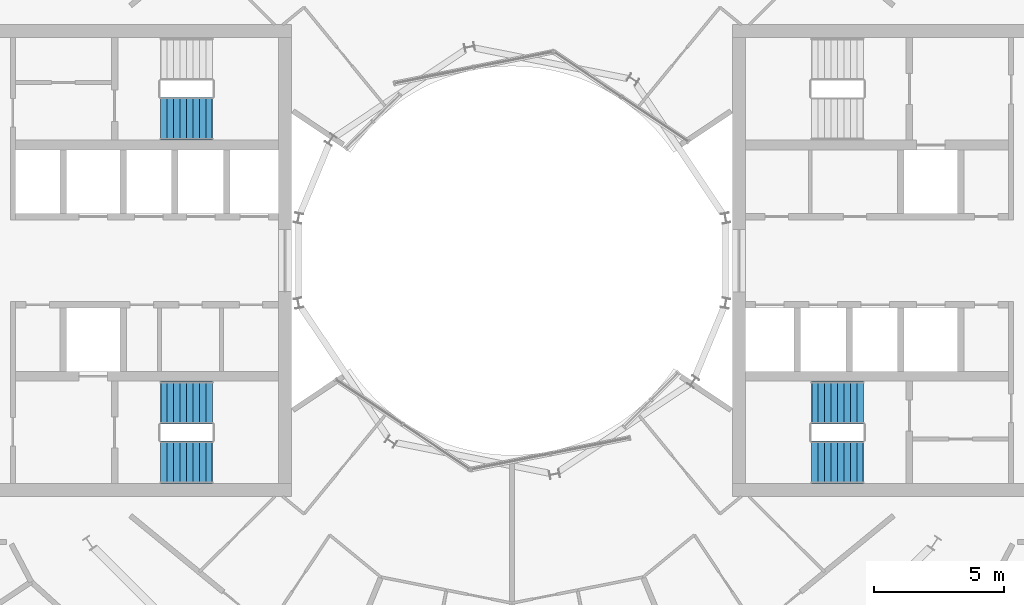
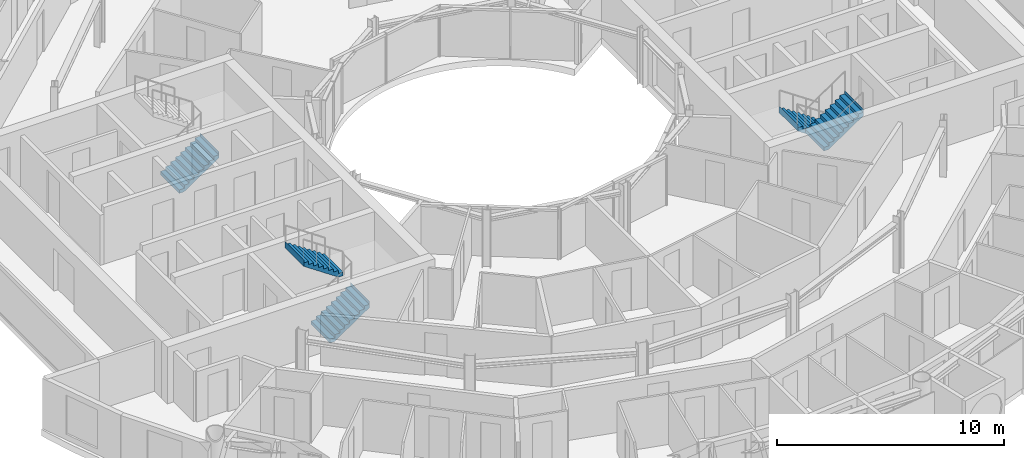
# One storey, part 24 of 26: 5 stair flights, 3 elements without a shape of their own.
"""IFC4 building model written with IfcOpenShell, lengths in metres."""

from ifc_helpers import new_model, si_unit, direction, frame, origin, place, context, subcontext, project, spatial, triangles, material, type_object, element, aggregate, save


model = new_model("IFC4")

# Units and contexts
model_context = context("Model", 3, precision=1e-05, world=origin(), true_north=direction((0.0, 1.0)))
body_context = subcontext(model_context, "Body", "Model", "MODEL_VIEW")
ifc_project = project(units=[si_unit("LENGTHUNIT", "METRE"), si_unit("AREAUNIT", "SQUARE_METRE"), si_unit("VOLUMEUNIT", "CUBIC_METRE"), si_unit("PLANEANGLEUNIT", "RADIAN"), si_unit("MASSUNIT", "GRAM", prefix="KILO")], contexts=[model_context])

# Site, building, storey
site_placement = place(None, origin())
site = spatial("IfcSite", under=ifc_project, at=site_placement, CompositionType="ELEMENT")
building_placement = place(site_placement, origin())
building = spatial("IfcBuilding", under=site, at=building_placement, Name="Maasbend Ring Residences", CompositionType="ELEMENT")
storey_placement = place(building_placement, frame((0.0, 0.0, 161.60009765625)))
storey = spatial("IfcBuildingStorey", under=building, at=storey_placement, Name="L46", CompositionType="ELEMENT", Elevation=161.60009765625)

# Stair, stair flights
ifc_material_1 = material(Name="Concrete C40/50", Category="concrete")
stair_type = type_object("IfcStairType", Name="CORE STAIR 18 RISERS", PredefinedType="HALF_TURN_STAIR", material=ifc_material_1)
stair_1_placement = place(storey_placement, origin())
stair_1 = element("IfcStair", 1, at=stair_1_placement, inside=storey, type_object=stair_type, Name="L46 Exit stair ST-E2", PredefinedType="HALF_TURN_STAIR")
ifc_material_2 = material(Name="Concrete C40/50", Category="concrete")
stair_flight_type = type_object("IfcStairFlightType", Name="CORE STAIR FLIGHT 1650", PredefinedType="STRAIGHT", material=ifc_material_2)
stair_flight_1_placement = place(storey_placement, frame((13.550048828125, -5.47509765625, 0.0), z_axis=(0.0, 0.0, 1.0), x_axis=(-1.0, 0.0, 0.0)))
stair_flight_1 = element("IfcStairFlight", 2, at=stair_flight_1_placement, type_object=stair_flight_type, Name="ST-E2 flight 1", NumberOfRisers=9, NumberOfTreads=8, PredefinedType="STRAIGHT", RiserHeight=0.169444444, TreadLength=0.25, context=body_context, shape_type="Tessellation", body=[
    triangles([(0.24072265625, 0.824951171875, -0.02001953125), (2.0029296875, 0.824951171875, 1.174560546875), (2.0029296875, 0.824951171875, 1.52490234375), (1.989990234375, 0.824951171875, 1.35546875), (1.75, 0.824951171875, 1.35546875), (1.75, 0.824951171875, 1.18603515625), (1.5, 0.824951171875, 1.18603515625), (1.5, 0.824951171875, 1.0166015625), (1.25, 0.824951171875, 1.0166015625), (1.25, 0.824951171875, 0.84716796875), (1.0, 0.824951171875, 0.84716796875), (1.0, 0.824951171875, 0.677734375), (0.75, 0.824951171875, 0.677734375), (0.75, 0.824951171875, 0.50830078125), (0.5, 0.824951171875, 0.50830078125), (0.5, 0.824951171875, 0.3388671875), (0.25, 0.824951171875, 0.3388671875), (0.25, 0.824951171875, 0.16943359375), (0.0, 0.824951171875, 0.16943359375), (0.0, 0.824951171875, 0.0), (-0.0029296875, 0.824951171875, 0.0), (-0.0029296875, 0.824951171875, -0.02001953125), (0.24072265625, 0.27490234375, -0.02001953125), (2.0029296875, 0.27490234375, 1.174560546875), (2.0029296875, 0.27490234375, 1.52490234375), (1.989990234375, 0.27490234375, 1.35546875), (1.75, 0.27490234375, 1.35546875), (1.75, 0.27490234375, 1.18603515625), (1.5, 0.27490234375, 1.18603515625), (1.5, 0.27490234375, 1.0166015625), (1.25, 0.27490234375, 1.0166015625), (1.25, 0.27490234375, 0.84716796875), (1.0, 0.27490234375, 0.84716796875), (1.0, 0.27490234375, 0.677734375), (0.75, 0.27490234375, 0.677734375), (0.75, 0.27490234375, 0.50830078125), (0.5, 0.27490234375, 0.50830078125), (0.5, 0.27490234375, 0.3388671875), (0.25, 0.27490234375, 0.3388671875), (0.25, 0.27490234375, 0.16943359375), (0.0, 0.27490234375, 0.16943359375), (0.0, 0.27490234375, 0.0), (-0.0029296875, 0.27490234375, 0.0), (-0.0029296875, 0.27490234375, -0.02001953125), (0.24072265625, -0.27490234375, -0.02001953125), (2.0029296875, -0.27490234375, 1.174560546875), (2.0029296875, -0.27490234375, 1.52490234375), (1.989990234375, -0.27490234375, 1.35546875), (1.75, -0.27490234375, 1.35546875), (1.75, -0.27490234375, 1.18603515625), (1.5, -0.27490234375, 1.18603515625), (1.5, -0.27490234375, 1.0166015625), (1.25, -0.27490234375, 1.0166015625), (1.25, -0.27490234375, 0.84716796875), (1.0, -0.27490234375, 0.84716796875), (1.0, -0.27490234375, 0.677734375), (0.75, -0.27490234375, 0.677734375), (0.75, -0.27490234375, 0.50830078125), (0.5, -0.27490234375, 0.50830078125), (0.5, -0.27490234375, 0.3388671875), (0.25, -0.27490234375, 0.3388671875), (0.25, -0.27490234375, 0.16943359375), (0.0, -0.27490234375, 0.16943359375), (0.0, -0.27490234375, 0.0), (-0.0029296875, -0.27490234375, 0.0), (-0.0029296875, -0.27490234375, -0.02001953125), (0.24072265625, -0.824951171875, -0.02001953125), (2.0029296875, -0.824951171875, 1.174560546875), (2.0029296875, -0.824951171875, 1.52490234375), (1.989990234375, -0.824951171875, 1.35546875), (1.75, -0.824951171875, 1.35546875), (1.75, -0.824951171875, 1.18603515625), (1.5, -0.824951171875, 1.18603515625), (1.5, -0.824951171875, 1.0166015625), (1.25, -0.824951171875, 1.0166015625), (1.25, -0.824951171875, 0.84716796875), (1.0, -0.824951171875, 0.84716796875), (1.0, -0.824951171875, 0.677734375), (0.75, -0.824951171875, 0.677734375), (0.75, -0.824951171875, 0.50830078125), (0.5, -0.824951171875, 0.50830078125), (0.5, -0.824951171875, 0.3388671875), (0.25, -0.824951171875, 0.3388671875), (0.25, -0.824951171875, 0.16943359375), (0.0, -0.824951171875, 0.16943359375), (0.0, -0.824951171875, 0.0), (-0.0029296875, -0.824951171875, 0.0), (-0.0029296875, -0.824951171875, -0.02001953125)], [[1, 2, 24], [1, 24, 23], [23, 24, 46], [23, 46, 45], [45, 46, 68], [45, 68, 67], [2, 3, 25], [2, 25, 24], [24, 25, 47], [24, 47, 46], [46, 47, 69], [46, 69, 68], [3, 4, 26], [3, 26, 25], [25, 26, 48], [25, 48, 47], [47, 48, 70], [47, 70, 69], [4, 5, 27], [4, 27, 26], [26, 27, 49], [26, 49, 48], [48, 49, 71], [48, 71, 70], [5, 6, 28], [5, 28, 27], [27, 28, 50], [27, 50, 49], [49, 50, 72], [49, 72, 71], [6, 7, 29], [6, 29, 28], [28, 29, 51], [28, 51, 50], [50, 51, 73], [50, 73, 72], [7, 8, 30], [7, 30, 29], [29, 30, 52], [29, 52, 51], [51, 52, 74], [51, 74, 73], [8, 9, 31], [8, 31, 30], [30, 31, 53], [30, 53, 52], [52, 53, 75], [52, 75, 74], [9, 10, 32], [9, 32, 31], [31, 32, 54], [31, 54, 53], [53, 54, 76], [53, 76, 75], [10, 11, 33], [10, 33, 32], [32, 33, 55], [32, 55, 54], [54, 55, 77], [54, 77, 76], [11, 12, 34], [11, 34, 33], [33, 34, 56], [33, 56, 55], [55, 56, 78], [55, 78, 77], [12, 13, 35], [12, 35, 34], [34, 35, 57], [34, 57, 56], [56, 57, 79], [56, 79, 78], [13, 14, 36], [13, 36, 35], [35, 36, 58], [35, 58, 57], [57, 58, 80], [57, 80, 79], [14, 15, 37], [14, 37, 36], [36, 37, 59], [36, 59, 58], [58, 59, 81], [58, 81, 80], [15, 16, 38], [15, 38, 37], [37, 38, 60], [37, 60, 59], [59, 60, 82], [59, 82, 81], [16, 17, 39], [16, 39, 38], [38, 39, 61], [38, 61, 60], [60, 61, 83], [60, 83, 82], [17, 18, 40], [17, 40, 39], [39, 40, 62], [39, 62, 61], [61, 62, 84], [61, 84, 83], [18, 19, 41], [18, 41, 40], [40, 41, 63], [40, 63, 62], [62, 63, 85], [62, 85, 84], [19, 20, 42], [19, 42, 41], [41, 42, 64], [41, 64, 63], [63, 64, 86], [63, 86, 85], [20, 21, 43], [20, 43, 42], [42, 43, 65], [42, 65, 64], [64, 65, 87], [64, 87, 86], [21, 22, 44], [21, 44, 43], [43, 44, 66], [43, 66, 65], [65, 66, 88], [65, 88, 87], [22, 1, 23], [22, 23, 44], [44, 23, 45], [44, 45, 66], [66, 45, 67], [66, 67, 88], [22, 2, 1], [2, 4, 3], [2, 5, 4], [2, 6, 5], [22, 6, 2], [6, 8, 7], [22, 8, 6], [8, 10, 9], [22, 10, 8], [10, 12, 11], [22, 12, 10], [12, 14, 13], [22, 14, 12], [14, 16, 15], [22, 16, 14], [16, 18, 17], [22, 18, 16], [18, 20, 19], [22, 20, 18], [20, 22, 21], [88, 67, 68], [68, 69, 70], [68, 70, 71], [68, 71, 72], [88, 68, 72], [72, 73, 74], [88, 72, 74], [74, 75, 76], [88, 74, 76], [76, 77, 78], [88, 76, 78], [78, 79, 80], [88, 78, 80], [80, 81, 82], [88, 80, 82], [82, 83, 84], [88, 82, 84], [84, 85, 86], [88, 84, 86], [86, 87, 88]], closed=True),
])
stair_flight_2_placement = place(storey_placement, frame((11.550048828125, -7.77490234375, 1.52490234375), z_axis=(0.0, 0.0, 1.0), x_axis=(1.0, 0.0, 0.0)))
stair_flight_2 = element("IfcStairFlight", 3, at=stair_flight_2_placement, type_object=stair_flight_type, Name="ST-E2 flight 2", NumberOfRisers=9, NumberOfTreads=8, PredefinedType="STRAIGHT", RiserHeight=0.169444444, TreadLength=0.25, context=body_context, shape_type="Tessellation", body=[
    triangles([(0.24072265625, 0.824951171875, -0.02001953125), (2.0029296875, 0.824951171875, 1.174560546875), (2.0029296875, 0.824951171875, 1.52490234375), (1.989990234375, 0.824951171875, 1.35546875), (1.75, 0.824951171875, 1.35546875), (1.75, 0.824951171875, 1.18603515625), (1.5, 0.824951171875, 1.18603515625), (1.5, 0.824951171875, 1.0166015625), (1.25, 0.824951171875, 1.0166015625), (1.25, 0.824951171875, 0.84716796875), (1.0, 0.824951171875, 0.84716796875), (1.0, 0.824951171875, 0.677734375), (0.75, 0.824951171875, 0.677734375), (0.75, 0.824951171875, 0.50830078125), (0.5, 0.824951171875, 0.50830078125), (0.5, 0.824951171875, 0.3388671875), (0.25, 0.824951171875, 0.3388671875), (0.25, 0.824951171875, 0.16943359375), (0.0, 0.824951171875, 0.16943359375), (0.0, 0.824951171875, 0.0), (-0.0029296875, 0.824951171875, 0.0), (-0.0029296875, 0.824951171875, -0.02001953125), (0.24072265625, 0.27490234375, -0.02001953125), (2.0029296875, 0.27490234375, 1.174560546875), (2.0029296875, 0.27490234375, 1.52490234375), (1.989990234375, 0.27490234375, 1.35546875), (1.75, 0.27490234375, 1.35546875), (1.75, 0.27490234375, 1.18603515625), (1.5, 0.27490234375, 1.18603515625), (1.5, 0.27490234375, 1.0166015625), (1.25, 0.27490234375, 1.0166015625), (1.25, 0.27490234375, 0.84716796875), (1.0, 0.27490234375, 0.84716796875), (1.0, 0.27490234375, 0.677734375), (0.75, 0.27490234375, 0.677734375), (0.75, 0.27490234375, 0.50830078125), (0.5, 0.27490234375, 0.50830078125), (0.5, 0.27490234375, 0.3388671875), (0.25, 0.27490234375, 0.3388671875), (0.25, 0.27490234375, 0.16943359375), (0.0, 0.27490234375, 0.16943359375), (0.0, 0.27490234375, 0.0), (-0.0029296875, 0.27490234375, 0.0), (-0.0029296875, 0.27490234375, -0.02001953125), (0.24072265625, -0.27490234375, -0.02001953125), (2.0029296875, -0.27490234375, 1.174560546875), (2.0029296875, -0.27490234375, 1.52490234375), (1.989990234375, -0.27490234375, 1.35546875), (1.75, -0.27490234375, 1.35546875), (1.75, -0.27490234375, 1.18603515625), (1.5, -0.27490234375, 1.18603515625), (1.5, -0.27490234375, 1.0166015625), (1.25, -0.27490234375, 1.0166015625), (1.25, -0.27490234375, 0.84716796875), (1.0, -0.27490234375, 0.84716796875), (1.0, -0.27490234375, 0.677734375), (0.75, -0.27490234375, 0.677734375), (0.75, -0.27490234375, 0.50830078125), (0.5, -0.27490234375, 0.50830078125), (0.5, -0.27490234375, 0.3388671875), (0.25, -0.27490234375, 0.3388671875), (0.25, -0.27490234375, 0.16943359375), (0.0, -0.27490234375, 0.16943359375), (0.0, -0.27490234375, 0.0), (-0.0029296875, -0.27490234375, 0.0), (-0.0029296875, -0.27490234375, -0.02001953125), (0.24072265625, -0.824951171875, -0.02001953125), (2.0029296875, -0.824951171875, 1.174560546875), (2.0029296875, -0.824951171875, 1.52490234375), (1.989990234375, -0.824951171875, 1.35546875), (1.75, -0.824951171875, 1.35546875), (1.75, -0.824951171875, 1.18603515625), (1.5, -0.824951171875, 1.18603515625), (1.5, -0.824951171875, 1.0166015625), (1.25, -0.824951171875, 1.0166015625), (1.25, -0.824951171875, 0.84716796875), (1.0, -0.824951171875, 0.84716796875), (1.0, -0.824951171875, 0.677734375), (0.75, -0.824951171875, 0.677734375), (0.75, -0.824951171875, 0.50830078125), (0.5, -0.824951171875, 0.50830078125), (0.5, -0.824951171875, 0.3388671875), (0.25, -0.824951171875, 0.3388671875), (0.25, -0.824951171875, 0.16943359375), (0.0, -0.824951171875, 0.16943359375), (0.0, -0.824951171875, 0.0), (-0.0029296875, -0.824951171875, 0.0), (-0.0029296875, -0.824951171875, -0.02001953125)], [[1, 2, 24], [1, 24, 23], [23, 24, 46], [23, 46, 45], [45, 46, 68], [45, 68, 67], [2, 3, 25], [2, 25, 24], [24, 25, 47], [24, 47, 46], [46, 47, 69], [46, 69, 68], [3, 4, 26], [3, 26, 25], [25, 26, 48], [25, 48, 47], [47, 48, 70], [47, 70, 69], [4, 5, 27], [4, 27, 26], [26, 27, 49], [26, 49, 48], [48, 49, 71], [48, 71, 70], [5, 6, 28], [5, 28, 27], [27, 28, 50], [27, 50, 49], [49, 50, 72], [49, 72, 71], [6, 7, 29], [6, 29, 28], [28, 29, 51], [28, 51, 50], [50, 51, 73], [50, 73, 72], [7, 8, 30], [7, 30, 29], [29, 30, 52], [29, 52, 51], [51, 52, 74], [51, 74, 73], [8, 9, 31], [8, 31, 30], [30, 31, 53], [30, 53, 52], [52, 53, 75], [52, 75, 74], [9, 10, 32], [9, 32, 31], [31, 32, 54], [31, 54, 53], [53, 54, 76], [53, 76, 75], [10, 11, 33], [10, 33, 32], [32, 33, 55], [32, 55, 54], [54, 55, 77], [54, 77, 76], [11, 12, 34], [11, 34, 33], [33, 34, 56], [33, 56, 55], [55, 56, 78], [55, 78, 77], [12, 13, 35], [12, 35, 34], [34, 35, 57], [34, 57, 56], [56, 57, 79], [56, 79, 78], [13, 14, 36], [13, 36, 35], [35, 36, 58], [35, 58, 57], [57, 58, 80], [57, 80, 79], [14, 15, 37], [14, 37, 36], [36, 37, 59], [36, 59, 58], [58, 59, 81], [58, 81, 80], [15, 16, 38], [15, 38, 37], [37, 38, 60], [37, 60, 59], [59, 60, 82], [59, 82, 81], [16, 17, 39], [16, 39, 38], [38, 39, 61], [38, 61, 60], [60, 61, 83], [60, 83, 82], [17, 18, 40], [17, 40, 39], [39, 40, 62], [39, 62, 61], [61, 62, 84], [61, 84, 83], [18, 19, 41], [18, 41, 40], [40, 41, 63], [40, 63, 62], [62, 63, 85], [62, 85, 84], [19, 20, 42], [19, 42, 41], [41, 42, 64], [41, 64, 63], [63, 64, 86], [63, 86, 85], [20, 21, 43], [20, 43, 42], [42, 43, 65], [42, 65, 64], [64, 65, 87], [64, 87, 86], [21, 22, 44], [21, 44, 43], [43, 44, 66], [43, 66, 65], [65, 66, 88], [65, 88, 87], [22, 1, 23], [22, 23, 44], [44, 23, 45], [44, 45, 66], [66, 45, 67], [66, 67, 88], [22, 2, 1], [2, 4, 3], [2, 5, 4], [2, 6, 5], [22, 6, 2], [6, 8, 7], [22, 8, 6], [8, 10, 9], [22, 10, 8], [10, 12, 11], [22, 12, 10], [12, 14, 13], [22, 14, 12], [14, 16, 15], [22, 16, 14], [16, 18, 17], [22, 18, 16], [18, 20, 19], [22, 20, 18], [20, 22, 21], [88, 67, 68], [68, 69, 70], [68, 70, 71], [68, 71, 72], [88, 68, 72], [72, 73, 74], [88, 72, 74], [74, 75, 76], [88, 74, 76], [76, 77, 78], [88, 76, 78], [78, 79, 80], [88, 78, 80], [80, 81, 82], [88, 80, 82], [82, 83, 84], [88, 82, 84], [84, 85, 86], [88, 84, 86], [86, 87, 88]], closed=True),
])
aggregate(stair_1, [stair_flight_1, stair_flight_2])

stair_2_placement = place(storey_placement, origin())
stair_2 = element("IfcStair", 4, at=stair_2_placement, inside=storey, type_object=stair_type, Name="L46 Exit stair ST-W1", PredefinedType="HALF_TURN_STAIR")
stair_flight_3_placement = place(storey_placement, frame((-13.550048828125, -7.77490234375, 0.0), z_axis=(0.0, 0.0, 1.0), x_axis=(1.0, 0.0, 0.0)))
stair_flight_3 = element("IfcStairFlight", 5, at=stair_flight_3_placement, type_object=stair_flight_type, Name="ST-W1 flight 1", NumberOfRisers=9, NumberOfTreads=8, PredefinedType="STRAIGHT", RiserHeight=0.169444444, TreadLength=0.25, context=body_context, shape_type="Tessellation", body=[
    triangles([(0.24072265625, 0.824951171875, -0.02001953125), (2.0029296875, 0.824951171875, 1.174560546875), (2.0029296875, 0.824951171875, 1.52490234375), (1.989990234375, 0.824951171875, 1.35546875), (1.75, 0.824951171875, 1.35546875), (1.75, 0.824951171875, 1.18603515625), (1.5, 0.824951171875, 1.18603515625), (1.5, 0.824951171875, 1.0166015625), (1.25, 0.824951171875, 1.0166015625), (1.25, 0.824951171875, 0.84716796875), (1.0, 0.824951171875, 0.84716796875), (1.0, 0.824951171875, 0.677734375), (0.75, 0.824951171875, 0.677734375), (0.75, 0.824951171875, 0.50830078125), (0.5, 0.824951171875, 0.50830078125), (0.5, 0.824951171875, 0.3388671875), (0.25, 0.824951171875, 0.3388671875), (0.25, 0.824951171875, 0.16943359375), (0.0, 0.824951171875, 0.16943359375), (0.0, 0.824951171875, 0.0), (-0.0029296875, 0.824951171875, 0.0), (-0.0029296875, 0.824951171875, -0.02001953125), (0.24072265625, 0.27490234375, -0.02001953125), (2.0029296875, 0.27490234375, 1.174560546875), (2.0029296875, 0.27490234375, 1.52490234375), (1.989990234375, 0.27490234375, 1.35546875), (1.75, 0.27490234375, 1.35546875), (1.75, 0.27490234375, 1.18603515625), (1.5, 0.27490234375, 1.18603515625), (1.5, 0.27490234375, 1.0166015625), (1.25, 0.27490234375, 1.0166015625), (1.25, 0.27490234375, 0.84716796875), (1.0, 0.27490234375, 0.84716796875), (1.0, 0.27490234375, 0.677734375), (0.75, 0.27490234375, 0.677734375), (0.75, 0.27490234375, 0.50830078125), (0.5, 0.27490234375, 0.50830078125), (0.5, 0.27490234375, 0.3388671875), (0.25, 0.27490234375, 0.3388671875), (0.25, 0.27490234375, 0.16943359375), (0.0, 0.27490234375, 0.16943359375), (0.0, 0.27490234375, 0.0), (-0.0029296875, 0.27490234375, 0.0), (-0.0029296875, 0.27490234375, -0.02001953125), (0.24072265625, -0.27490234375, -0.02001953125), (2.0029296875, -0.27490234375, 1.174560546875), (2.0029296875, -0.27490234375, 1.52490234375), (1.989990234375, -0.27490234375, 1.35546875), (1.75, -0.27490234375, 1.35546875), (1.75, -0.27490234375, 1.18603515625), (1.5, -0.27490234375, 1.18603515625), (1.5, -0.27490234375, 1.0166015625), (1.25, -0.27490234375, 1.0166015625), (1.25, -0.27490234375, 0.84716796875), (1.0, -0.27490234375, 0.84716796875), (1.0, -0.27490234375, 0.677734375), (0.75, -0.27490234375, 0.677734375), (0.75, -0.27490234375, 0.50830078125), (0.5, -0.27490234375, 0.50830078125), (0.5, -0.27490234375, 0.3388671875), (0.25, -0.27490234375, 0.3388671875), (0.25, -0.27490234375, 0.16943359375), (0.0, -0.27490234375, 0.16943359375), (0.0, -0.27490234375, 0.0), (-0.0029296875, -0.27490234375, 0.0), (-0.0029296875, -0.27490234375, -0.02001953125), (0.24072265625, -0.824951171875, -0.02001953125), (2.0029296875, -0.824951171875, 1.174560546875), (2.0029296875, -0.824951171875, 1.52490234375), (1.989990234375, -0.824951171875, 1.35546875), (1.75, -0.824951171875, 1.35546875), (1.75, -0.824951171875, 1.18603515625), (1.5, -0.824951171875, 1.18603515625), (1.5, -0.824951171875, 1.0166015625), (1.25, -0.824951171875, 1.0166015625), (1.25, -0.824951171875, 0.84716796875), (1.0, -0.824951171875, 0.84716796875), (1.0, -0.824951171875, 0.677734375), (0.75, -0.824951171875, 0.677734375), (0.75, -0.824951171875, 0.50830078125), (0.5, -0.824951171875, 0.50830078125), (0.5, -0.824951171875, 0.3388671875), (0.25, -0.824951171875, 0.3388671875), (0.25, -0.824951171875, 0.16943359375), (0.0, -0.824951171875, 0.16943359375), (0.0, -0.824951171875, 0.0), (-0.0029296875, -0.824951171875, 0.0), (-0.0029296875, -0.824951171875, -0.02001953125)], [[1, 2, 24], [1, 24, 23], [23, 24, 46], [23, 46, 45], [45, 46, 68], [45, 68, 67], [2, 3, 25], [2, 25, 24], [24, 25, 47], [24, 47, 46], [46, 47, 69], [46, 69, 68], [3, 4, 26], [3, 26, 25], [25, 26, 48], [25, 48, 47], [47, 48, 70], [47, 70, 69], [4, 5, 27], [4, 27, 26], [26, 27, 49], [26, 49, 48], [48, 49, 71], [48, 71, 70], [5, 6, 28], [5, 28, 27], [27, 28, 50], [27, 50, 49], [49, 50, 72], [49, 72, 71], [6, 7, 29], [6, 29, 28], [28, 29, 51], [28, 51, 50], [50, 51, 73], [50, 73, 72], [7, 8, 30], [7, 30, 29], [29, 30, 52], [29, 52, 51], [51, 52, 74], [51, 74, 73], [8, 9, 31], [8, 31, 30], [30, 31, 53], [30, 53, 52], [52, 53, 75], [52, 75, 74], [9, 10, 32], [9, 32, 31], [31, 32, 54], [31, 54, 53], [53, 54, 76], [53, 76, 75], [10, 11, 33], [10, 33, 32], [32, 33, 55], [32, 55, 54], [54, 55, 77], [54, 77, 76], [11, 12, 34], [11, 34, 33], [33, 34, 56], [33, 56, 55], [55, 56, 78], [55, 78, 77], [12, 13, 35], [12, 35, 34], [34, 35, 57], [34, 57, 56], [56, 57, 79], [56, 79, 78], [13, 14, 36], [13, 36, 35], [35, 36, 58], [35, 58, 57], [57, 58, 80], [57, 80, 79], [14, 15, 37], [14, 37, 36], [36, 37, 59], [36, 59, 58], [58, 59, 81], [58, 81, 80], [15, 16, 38], [15, 38, 37], [37, 38, 60], [37, 60, 59], [59, 60, 82], [59, 82, 81], [16, 17, 39], [16, 39, 38], [38, 39, 61], [38, 61, 60], [60, 61, 83], [60, 83, 82], [17, 18, 40], [17, 40, 39], [39, 40, 62], [39, 62, 61], [61, 62, 84], [61, 84, 83], [18, 19, 41], [18, 41, 40], [40, 41, 63], [40, 63, 62], [62, 63, 85], [62, 85, 84], [19, 20, 42], [19, 42, 41], [41, 42, 64], [41, 64, 63], [63, 64, 86], [63, 86, 85], [20, 21, 43], [20, 43, 42], [42, 43, 65], [42, 65, 64], [64, 65, 87], [64, 87, 86], [21, 22, 44], [21, 44, 43], [43, 44, 66], [43, 66, 65], [65, 66, 88], [65, 88, 87], [22, 1, 23], [22, 23, 44], [44, 23, 45], [44, 45, 66], [66, 45, 67], [66, 67, 88], [22, 2, 1], [2, 4, 3], [2, 5, 4], [2, 6, 5], [22, 6, 2], [6, 8, 7], [22, 8, 6], [8, 10, 9], [22, 10, 8], [10, 12, 11], [22, 12, 10], [12, 14, 13], [22, 14, 12], [14, 16, 15], [22, 16, 14], [16, 18, 17], [22, 18, 16], [18, 20, 19], [22, 20, 18], [20, 22, 21], [88, 67, 68], [68, 69, 70], [68, 70, 71], [68, 71, 72], [88, 68, 72], [72, 73, 74], [88, 72, 74], [74, 75, 76], [88, 74, 76], [76, 77, 78], [88, 76, 78], [78, 79, 80], [88, 78, 80], [80, 81, 82], [88, 80, 82], [82, 83, 84], [88, 82, 84], [84, 85, 86], [88, 84, 86], [86, 87, 88]], closed=True),
])
stair_flight_4_placement = place(storey_placement, frame((-11.550048828125, -5.47509765625, 1.52490234375), z_axis=(0.0, 0.0, 1.0), x_axis=(-1.0, 0.0, 0.0)))
stair_flight_4 = element("IfcStairFlight", 6, at=stair_flight_4_placement, type_object=stair_flight_type, Name="ST-W1 flight 2", NumberOfRisers=9, NumberOfTreads=8, PredefinedType="STRAIGHT", RiserHeight=0.169444444, TreadLength=0.25, context=body_context, shape_type="Tessellation", body=[
    triangles([(0.24072265625, 0.824951171875, -0.02001953125), (2.0029296875, 0.824951171875, 1.174560546875), (2.0029296875, 0.824951171875, 1.52490234375), (1.989990234375, 0.824951171875, 1.35546875), (1.75, 0.824951171875, 1.35546875), (1.75, 0.824951171875, 1.18603515625), (1.5, 0.824951171875, 1.18603515625), (1.5, 0.824951171875, 1.0166015625), (1.25, 0.824951171875, 1.0166015625), (1.25, 0.824951171875, 0.84716796875), (1.0, 0.824951171875, 0.84716796875), (1.0, 0.824951171875, 0.677734375), (0.75, 0.824951171875, 0.677734375), (0.75, 0.824951171875, 0.50830078125), (0.5, 0.824951171875, 0.50830078125), (0.5, 0.824951171875, 0.3388671875), (0.25, 0.824951171875, 0.3388671875), (0.25, 0.824951171875, 0.16943359375), (0.0, 0.824951171875, 0.16943359375), (0.0, 0.824951171875, 0.0), (-0.0029296875, 0.824951171875, 0.0), (-0.0029296875, 0.824951171875, -0.02001953125), (0.24072265625, 0.27490234375, -0.02001953125), (2.0029296875, 0.27490234375, 1.174560546875), (2.0029296875, 0.27490234375, 1.52490234375), (1.989990234375, 0.27490234375, 1.35546875), (1.75, 0.27490234375, 1.35546875), (1.75, 0.27490234375, 1.18603515625), (1.5, 0.27490234375, 1.18603515625), (1.5, 0.27490234375, 1.0166015625), (1.25, 0.27490234375, 1.0166015625), (1.25, 0.27490234375, 0.84716796875), (1.0, 0.27490234375, 0.84716796875), (1.0, 0.27490234375, 0.677734375), (0.75, 0.27490234375, 0.677734375), (0.75, 0.27490234375, 0.50830078125), (0.5, 0.27490234375, 0.50830078125), (0.5, 0.27490234375, 0.3388671875), (0.25, 0.27490234375, 0.3388671875), (0.25, 0.27490234375, 0.16943359375), (0.0, 0.27490234375, 0.16943359375), (0.0, 0.27490234375, 0.0), (-0.0029296875, 0.27490234375, 0.0), (-0.0029296875, 0.27490234375, -0.02001953125), (0.24072265625, -0.27490234375, -0.02001953125), (2.0029296875, -0.27490234375, 1.174560546875), (2.0029296875, -0.27490234375, 1.52490234375), (1.989990234375, -0.27490234375, 1.35546875), (1.75, -0.27490234375, 1.35546875), (1.75, -0.27490234375, 1.18603515625), (1.5, -0.27490234375, 1.18603515625), (1.5, -0.27490234375, 1.0166015625), (1.25, -0.27490234375, 1.0166015625), (1.25, -0.27490234375, 0.84716796875), (1.0, -0.27490234375, 0.84716796875), (1.0, -0.27490234375, 0.677734375), (0.75, -0.27490234375, 0.677734375), (0.75, -0.27490234375, 0.50830078125), (0.5, -0.27490234375, 0.50830078125), (0.5, -0.27490234375, 0.3388671875), (0.25, -0.27490234375, 0.3388671875), (0.25, -0.27490234375, 0.16943359375), (0.0, -0.27490234375, 0.16943359375), (0.0, -0.27490234375, 0.0), (-0.0029296875, -0.27490234375, 0.0), (-0.0029296875, -0.27490234375, -0.02001953125), (0.24072265625, -0.824951171875, -0.02001953125), (2.0029296875, -0.824951171875, 1.174560546875), (2.0029296875, -0.824951171875, 1.52490234375), (1.989990234375, -0.824951171875, 1.35546875), (1.75, -0.824951171875, 1.35546875), (1.75, -0.824951171875, 1.18603515625), (1.5, -0.824951171875, 1.18603515625), (1.5, -0.824951171875, 1.0166015625), (1.25, -0.824951171875, 1.0166015625), (1.25, -0.824951171875, 0.84716796875), (1.0, -0.824951171875, 0.84716796875), (1.0, -0.824951171875, 0.677734375), (0.75, -0.824951171875, 0.677734375), (0.75, -0.824951171875, 0.50830078125), (0.5, -0.824951171875, 0.50830078125), (0.5, -0.824951171875, 0.3388671875), (0.25, -0.824951171875, 0.3388671875), (0.25, -0.824951171875, 0.16943359375), (0.0, -0.824951171875, 0.16943359375), (0.0, -0.824951171875, 0.0), (-0.0029296875, -0.824951171875, 0.0), (-0.0029296875, -0.824951171875, -0.02001953125)], [[1, 2, 24], [1, 24, 23], [23, 24, 46], [23, 46, 45], [45, 46, 68], [45, 68, 67], [2, 3, 25], [2, 25, 24], [24, 25, 47], [24, 47, 46], [46, 47, 69], [46, 69, 68], [3, 4, 26], [3, 26, 25], [25, 26, 48], [25, 48, 47], [47, 48, 70], [47, 70, 69], [4, 5, 27], [4, 27, 26], [26, 27, 49], [26, 49, 48], [48, 49, 71], [48, 71, 70], [5, 6, 28], [5, 28, 27], [27, 28, 50], [27, 50, 49], [49, 50, 72], [49, 72, 71], [6, 7, 29], [6, 29, 28], [28, 29, 51], [28, 51, 50], [50, 51, 73], [50, 73, 72], [7, 8, 30], [7, 30, 29], [29, 30, 52], [29, 52, 51], [51, 52, 74], [51, 74, 73], [8, 9, 31], [8, 31, 30], [30, 31, 53], [30, 53, 52], [52, 53, 75], [52, 75, 74], [9, 10, 32], [9, 32, 31], [31, 32, 54], [31, 54, 53], [53, 54, 76], [53, 76, 75], [10, 11, 33], [10, 33, 32], [32, 33, 55], [32, 55, 54], [54, 55, 77], [54, 77, 76], [11, 12, 34], [11, 34, 33], [33, 34, 56], [33, 56, 55], [55, 56, 78], [55, 78, 77], [12, 13, 35], [12, 35, 34], [34, 35, 57], [34, 57, 56], [56, 57, 79], [56, 79, 78], [13, 14, 36], [13, 36, 35], [35, 36, 58], [35, 58, 57], [57, 58, 80], [57, 80, 79], [14, 15, 37], [14, 37, 36], [36, 37, 59], [36, 59, 58], [58, 59, 81], [58, 81, 80], [15, 16, 38], [15, 38, 37], [37, 38, 60], [37, 60, 59], [59, 60, 82], [59, 82, 81], [16, 17, 39], [16, 39, 38], [38, 39, 61], [38, 61, 60], [60, 61, 83], [60, 83, 82], [17, 18, 40], [17, 40, 39], [39, 40, 62], [39, 62, 61], [61, 62, 84], [61, 84, 83], [18, 19, 41], [18, 41, 40], [40, 41, 63], [40, 63, 62], [62, 63, 85], [62, 85, 84], [19, 20, 42], [19, 42, 41], [41, 42, 64], [41, 64, 63], [63, 64, 86], [63, 86, 85], [20, 21, 43], [20, 43, 42], [42, 43, 65], [42, 65, 64], [64, 65, 87], [64, 87, 86], [21, 22, 44], [21, 44, 43], [43, 44, 66], [43, 66, 65], [65, 66, 88], [65, 88, 87], [22, 1, 23], [22, 23, 44], [44, 23, 45], [44, 45, 66], [66, 45, 67], [66, 67, 88], [22, 2, 1], [2, 4, 3], [2, 5, 4], [2, 6, 5], [22, 6, 2], [6, 8, 7], [22, 8, 6], [8, 10, 9], [22, 10, 8], [10, 12, 11], [22, 12, 10], [12, 14, 13], [22, 14, 12], [14, 16, 15], [22, 16, 14], [16, 18, 17], [22, 18, 16], [18, 20, 19], [22, 20, 18], [20, 22, 21], [88, 67, 68], [68, 69, 70], [68, 70, 71], [68, 71, 72], [88, 68, 72], [72, 73, 74], [88, 72, 74], [74, 75, 76], [88, 74, 76], [76, 77, 78], [88, 76, 78], [78, 79, 80], [88, 78, 80], [80, 81, 82], [88, 80, 82], [82, 83, 84], [88, 82, 84], [84, 85, 86], [88, 84, 86], [86, 87, 88]], closed=True),
])
aggregate(stair_2, [stair_flight_3, stair_flight_4])

# Stair, stair flight
stair_3_placement = place(storey_placement, origin())
stair_3 = element("IfcStair", 7, at=stair_3_placement, inside=storey, type_object=stair_type, Name="L46 Exit stair ST-W2", PredefinedType="HALF_TURN_STAIR")
stair_flight_5_placement = place(storey_placement, frame((-13.550048828125, 5.47509765625, 0.0), z_axis=(0.0, 0.0, 1.0), x_axis=(1.0, 0.0, 0.0)))
stair_flight_5 = element("IfcStairFlight", 8, at=stair_flight_5_placement, type_object=stair_flight_type, Name="ST-W2 flight 1", NumberOfRisers=9, NumberOfTreads=8, PredefinedType="STRAIGHT", RiserHeight=0.169444444, TreadLength=0.25, context=body_context, shape_type="Tessellation", body=[
    triangles([(0.24072265625, 0.824951171875, -0.02001953125), (2.0029296875, 0.824951171875, 1.174560546875), (2.0029296875, 0.824951171875, 1.52490234375), (1.989990234375, 0.824951171875, 1.35546875), (1.75, 0.824951171875, 1.35546875), (1.75, 0.824951171875, 1.18603515625), (1.5, 0.824951171875, 1.18603515625), (1.5, 0.824951171875, 1.0166015625), (1.25, 0.824951171875, 1.0166015625), (1.25, 0.824951171875, 0.84716796875), (1.0, 0.824951171875, 0.84716796875), (1.0, 0.824951171875, 0.677734375), (0.75, 0.824951171875, 0.677734375), (0.75, 0.824951171875, 0.50830078125), (0.5, 0.824951171875, 0.50830078125), (0.5, 0.824951171875, 0.3388671875), (0.25, 0.824951171875, 0.3388671875), (0.25, 0.824951171875, 0.16943359375), (0.0, 0.824951171875, 0.16943359375), (0.0, 0.824951171875, 0.0), (-0.0029296875, 0.824951171875, 0.0), (-0.0029296875, 0.824951171875, -0.02001953125), (0.24072265625, 0.27490234375, -0.02001953125), (2.0029296875, 0.27490234375, 1.174560546875), (2.0029296875, 0.27490234375, 1.52490234375), (1.989990234375, 0.27490234375, 1.35546875), (1.75, 0.27490234375, 1.35546875), (1.75, 0.27490234375, 1.18603515625), (1.5, 0.27490234375, 1.18603515625), (1.5, 0.27490234375, 1.0166015625), (1.25, 0.27490234375, 1.0166015625), (1.25, 0.27490234375, 0.84716796875), (1.0, 0.27490234375, 0.84716796875), (1.0, 0.27490234375, 0.677734375), (0.75, 0.27490234375, 0.677734375), (0.75, 0.27490234375, 0.50830078125), (0.5, 0.27490234375, 0.50830078125), (0.5, 0.27490234375, 0.3388671875), (0.25, 0.27490234375, 0.3388671875), (0.25, 0.27490234375, 0.16943359375), (0.0, 0.27490234375, 0.16943359375), (0.0, 0.27490234375, 0.0), (-0.0029296875, 0.27490234375, 0.0), (-0.0029296875, 0.27490234375, -0.02001953125), (0.24072265625, -0.27490234375, -0.02001953125), (2.0029296875, -0.27490234375, 1.174560546875), (2.0029296875, -0.27490234375, 1.52490234375), (1.989990234375, -0.27490234375, 1.35546875), (1.75, -0.27490234375, 1.35546875), (1.75, -0.27490234375, 1.18603515625), (1.5, -0.27490234375, 1.18603515625), (1.5, -0.27490234375, 1.0166015625), (1.25, -0.27490234375, 1.0166015625), (1.25, -0.27490234375, 0.84716796875), (1.0, -0.27490234375, 0.84716796875), (1.0, -0.27490234375, 0.677734375), (0.75, -0.27490234375, 0.677734375), (0.75, -0.27490234375, 0.50830078125), (0.5, -0.27490234375, 0.50830078125), (0.5, -0.27490234375, 0.3388671875), (0.25, -0.27490234375, 0.3388671875), (0.25, -0.27490234375, 0.16943359375), (0.0, -0.27490234375, 0.16943359375), (0.0, -0.27490234375, 0.0), (-0.0029296875, -0.27490234375, 0.0), (-0.0029296875, -0.27490234375, -0.02001953125), (0.24072265625, -0.824951171875, -0.02001953125), (2.0029296875, -0.824951171875, 1.174560546875), (2.0029296875, -0.824951171875, 1.52490234375), (1.989990234375, -0.824951171875, 1.35546875), (1.75, -0.824951171875, 1.35546875), (1.75, -0.824951171875, 1.18603515625), (1.5, -0.824951171875, 1.18603515625), (1.5, -0.824951171875, 1.0166015625), (1.25, -0.824951171875, 1.0166015625), (1.25, -0.824951171875, 0.84716796875), (1.0, -0.824951171875, 0.84716796875), (1.0, -0.824951171875, 0.677734375), (0.75, -0.824951171875, 0.677734375), (0.75, -0.824951171875, 0.50830078125), (0.5, -0.824951171875, 0.50830078125), (0.5, -0.824951171875, 0.3388671875), (0.25, -0.824951171875, 0.3388671875), (0.25, -0.824951171875, 0.16943359375), (0.0, -0.824951171875, 0.16943359375), (0.0, -0.824951171875, 0.0), (-0.0029296875, -0.824951171875, 0.0), (-0.0029296875, -0.824951171875, -0.02001953125)], [[1, 2, 24], [1, 24, 23], [23, 24, 46], [23, 46, 45], [45, 46, 68], [45, 68, 67], [2, 3, 25], [2, 25, 24], [24, 25, 47], [24, 47, 46], [46, 47, 69], [46, 69, 68], [3, 4, 26], [3, 26, 25], [25, 26, 48], [25, 48, 47], [47, 48, 70], [47, 70, 69], [4, 5, 27], [4, 27, 26], [26, 27, 49], [26, 49, 48], [48, 49, 71], [48, 71, 70], [5, 6, 28], [5, 28, 27], [27, 28, 50], [27, 50, 49], [49, 50, 72], [49, 72, 71], [6, 7, 29], [6, 29, 28], [28, 29, 51], [28, 51, 50], [50, 51, 73], [50, 73, 72], [7, 8, 30], [7, 30, 29], [29, 30, 52], [29, 52, 51], [51, 52, 74], [51, 74, 73], [8, 9, 31], [8, 31, 30], [30, 31, 53], [30, 53, 52], [52, 53, 75], [52, 75, 74], [9, 10, 32], [9, 32, 31], [31, 32, 54], [31, 54, 53], [53, 54, 76], [53, 76, 75], [10, 11, 33], [10, 33, 32], [32, 33, 55], [32, 55, 54], [54, 55, 77], [54, 77, 76], [11, 12, 34], [11, 34, 33], [33, 34, 56], [33, 56, 55], [55, 56, 78], [55, 78, 77], [12, 13, 35], [12, 35, 34], [34, 35, 57], [34, 57, 56], [56, 57, 79], [56, 79, 78], [13, 14, 36], [13, 36, 35], [35, 36, 58], [35, 58, 57], [57, 58, 80], [57, 80, 79], [14, 15, 37], [14, 37, 36], [36, 37, 59], [36, 59, 58], [58, 59, 81], [58, 81, 80], [15, 16, 38], [15, 38, 37], [37, 38, 60], [37, 60, 59], [59, 60, 82], [59, 82, 81], [16, 17, 39], [16, 39, 38], [38, 39, 61], [38, 61, 60], [60, 61, 83], [60, 83, 82], [17, 18, 40], [17, 40, 39], [39, 40, 62], [39, 62, 61], [61, 62, 84], [61, 84, 83], [18, 19, 41], [18, 41, 40], [40, 41, 63], [40, 63, 62], [62, 63, 85], [62, 85, 84], [19, 20, 42], [19, 42, 41], [41, 42, 64], [41, 64, 63], [63, 64, 86], [63, 86, 85], [20, 21, 43], [20, 43, 42], [42, 43, 65], [42, 65, 64], [64, 65, 87], [64, 87, 86], [21, 22, 44], [21, 44, 43], [43, 44, 66], [43, 66, 65], [65, 66, 88], [65, 88, 87], [22, 1, 23], [22, 23, 44], [44, 23, 45], [44, 45, 66], [66, 45, 67], [66, 67, 88], [22, 2, 1], [2, 4, 3], [2, 5, 4], [2, 6, 5], [22, 6, 2], [6, 8, 7], [22, 8, 6], [8, 10, 9], [22, 10, 8], [10, 12, 11], [22, 12, 10], [12, 14, 13], [22, 14, 12], [14, 16, 15], [22, 16, 14], [16, 18, 17], [22, 18, 16], [18, 20, 19], [22, 20, 18], [20, 22, 21], [88, 67, 68], [68, 69, 70], [68, 70, 71], [68, 71, 72], [88, 68, 72], [72, 73, 74], [88, 72, 74], [74, 75, 76], [88, 74, 76], [76, 77, 78], [88, 76, 78], [78, 79, 80], [88, 78, 80], [80, 81, 82], [88, 80, 82], [82, 83, 84], [88, 82, 84], [84, 85, 86], [88, 84, 86], [86, 87, 88]], closed=True),
])
aggregate(stair_3, [stair_flight_5])

save(model, "model.ifc")
